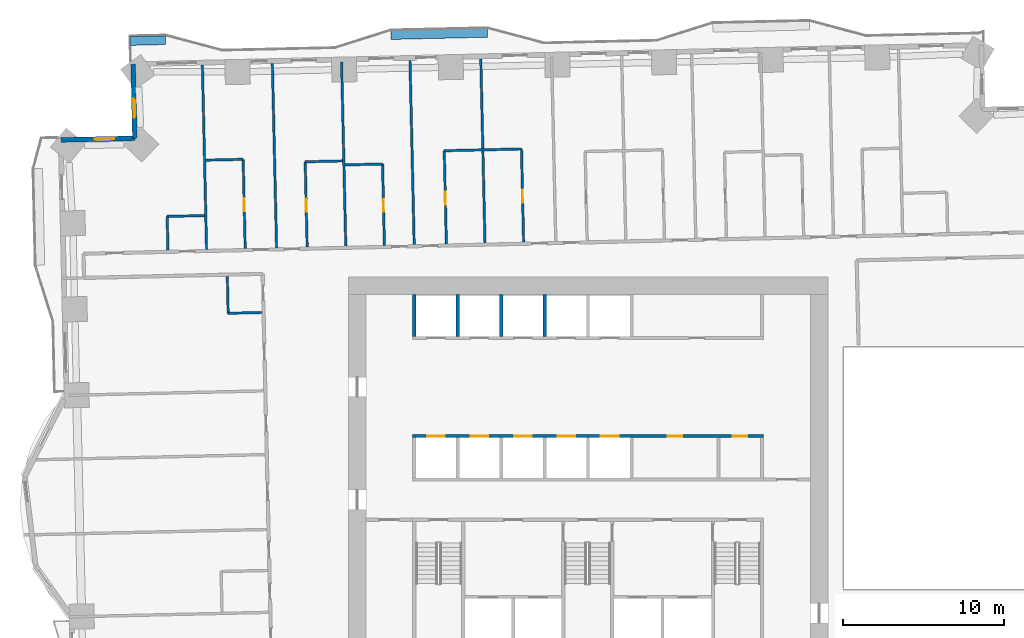
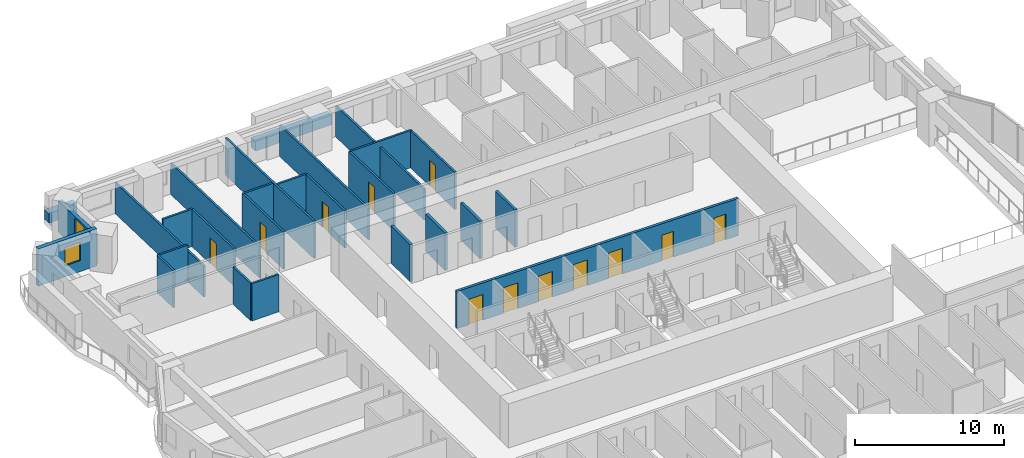
# One storey, part 9 of 16: 27 walls, 12 doors, 2 windows, 14 openings.
"""IFC4 building model written with IfcOpenShell, lengths in metres."""

from ifc_helpers import new_model, si_unit, direction, frame, frame_2d, origin, place, context, subcontext, project, spatial, rectangle, extrude, material, layer, layer_set, type_object, element, fill, save


model = new_model("IFC4")

# Units and contexts
model_context = context("Model", 3, precision=1e-05, world=origin(), true_north=direction((0.0, 1.0)))
body_context = subcontext(model_context, "Body", "Model", "MODEL_VIEW")
ifc_project = project(units=[si_unit("LENGTHUNIT", "METRE"), si_unit("AREAUNIT", "SQUARE_METRE"), si_unit("VOLUMEUNIT", "CUBIC_METRE"), si_unit("PLANEANGLEUNIT", "RADIAN"), si_unit("MASSUNIT", "GRAM", prefix="KILO")], contexts=[model_context])

# Site, building, storey
site_placement = place(None, origin())
site = spatial("IfcSite", under=ifc_project, at=site_placement, CompositionType="ELEMENT")
building_placement = place(site_placement, origin())
building = spatial("IfcBuilding", under=site, at=building_placement, Name="Mangrove Gate Tower", CompositionType="ELEMENT")
storey_placement = place(building_placement, frame((0.0, 0.0, 34.10009765625)))
storey = spatial("IfcBuildingStorey", under=building, at=storey_placement, Name="L07", CompositionType="ELEMENT", Elevation=34.10009765625)

# Wall, openings, doors
ifc_material_1 = material(Name="Concrete C70/85", Category="concrete")
ifc_layer_1 = layer(ifc_material_1, 0.199951171875)
ifc_layer_set_1 = layer_set([ifc_layer_1], Name="Core shaft wall 200 C70/85")
wall_type_1 = type_object("IfcWallType", Name="Core shaft wall 200 C70/85", PredefinedType="SHEAR", material=ifc_layer_set_1)
wall_1_placement = place(storey_placement, frame((-10.89990234375, 2.0, 0.0), z_axis=(0.0, 0.0, 1.0), x_axis=(1.0, 0.0, 0.0)))
wall_1 = element("IfcWall", 1, at=wall_1_placement, inside=storey, type_object=wall_type_1, Name="WALL-L07-CORE-7", PredefinedType="SHEAR", context=body_context, shape_type="SweptSolid", body=[
    extrude(rectangle(XDim=21.7998046875, YDim=0.199951171875, at=frame_2d((10.89990234375, 0.0))), origin(), (0.0, 0.0, 1.0), 3.0498046875),
])
opening_1_placement = place(wall_1_placement, frame((0.89990234375, 0.0, 0.0)))
opening_1 = element("IfcOpeningElement", 2, at=opening_1_placement, cuts=wall_1, Name="Opening LD", PredefinedType="OPENING", context=body_context, shape_type="SweptSolid", body=[
    extrude(rectangle(XDim=1.10009765625, YDim=2.10009765625, at=frame_2d((0.550048828125, 1.050048828125))), frame((0.0, 0.10986328125, 0.0), z_axis=(0.0, -1.0, 0.0), x_axis=(1.0, 0.0, 0.0)), (0.0, 0.0, 1.0), 0.219970703125),
])
opening_2_placement = place(wall_1_placement, frame((3.60009765625, 0.0, 0.0)))
opening_2 = element("IfcOpeningElement", 3, at=opening_2_placement, cuts=wall_1, Name="Opening LD", PredefinedType="OPENING", context=body_context, shape_type="SweptSolid", body=[
    extrude(rectangle(XDim=1.10009765625, YDim=2.10009765625, at=frame_2d((0.550048828125, 1.050048828125))), frame((0.0, 0.10986328125, 0.0), z_axis=(0.0, -1.0, 0.0), x_axis=(1.0, 0.0, 0.0)), (0.0, 0.0, 1.0), 0.219970703125),
])
opening_3_placement = place(wall_1_placement, frame((6.300048828125, 0.0, 0.0)))
opening_3 = element("IfcOpeningElement", 4, at=opening_3_placement, cuts=wall_1, Name="Opening LD", PredefinedType="OPENING", context=body_context, shape_type="SweptSolid", body=[
    extrude(rectangle(XDim=1.10009765625, YDim=2.10009765625, at=frame_2d((0.550048828125, 1.050048828125))), frame((0.0, 0.10986328125, 0.0), z_axis=(0.0, -1.0, 0.0), x_axis=(1.0, 0.0, 0.0)), (0.0, 0.0, 1.0), 0.219970703125),
])
opening_4_placement = place(wall_1_placement, frame((9.0, 0.0, 0.0)))
opening_4 = element("IfcOpeningElement", 5, at=opening_4_placement, cuts=wall_1, Name="Opening LD", PredefinedType="OPENING", context=body_context, shape_type="SweptSolid", body=[
    extrude(rectangle(XDim=1.10009765625, YDim=2.10009765625, at=frame_2d((0.550048828125, 1.050048828125))), frame((0.0, 0.10986328125, 0.0), z_axis=(0.0, -1.0, 0.0), x_axis=(1.0, 0.0, 0.0)), (0.0, 0.0, 1.0), 0.219970703125),
])
opening_5_placement = place(wall_1_placement, frame((11.699951171875, 0.0, 0.0)))
opening_5 = element("IfcOpeningElement", 6, at=opening_5_placement, cuts=wall_1, Name="Opening LD", PredefinedType="OPENING", context=body_context, shape_type="SweptSolid", body=[
    extrude(rectangle(XDim=1.10009765625, YDim=2.10009765625, at=frame_2d((0.550048828125, 1.050048828125))), frame((0.0, 0.10986328125, 0.0), z_axis=(0.0, -1.0, 0.0), x_axis=(1.0, 0.0, 0.0)), (0.0, 0.0, 1.0), 0.219970703125),
])
opening_6_placement = place(wall_1_placement, frame((15.85009765625, 0.0, 0.0)))
opening_6 = element("IfcOpeningElement", 7, at=opening_6_placement, cuts=wall_1, Name="Opening KD", PredefinedType="OPENING", context=body_context, shape_type="SweptSolid", body=[
    extrude(rectangle(XDim=0.89990234375, YDim=2.10009765625, at=frame_2d((0.449951171875, 1.050048828125))), frame((0.0, 0.10986328125, 0.0), z_axis=(0.0, -1.0, 0.0), x_axis=(1.0, 0.0, 0.0)), (0.0, 0.0, 1.0), 0.219970703125),
])
opening_7_placement = place(wall_1_placement, frame((19.89990234375, 0.0, 0.0)))
opening_7 = element("IfcOpeningElement", 8, at=opening_7_placement, cuts=wall_1, Name="Opening KD", PredefinedType="OPENING", context=body_context, shape_type="SweptSolid", body=[
    extrude(rectangle(XDim=0.89990234375, YDim=2.10009765625, at=frame_2d((0.449951171875, 1.050048828125))), frame((0.0, 0.10986328125, 0.0), z_axis=(0.0, -1.0, 0.0), x_axis=(1.0, 0.0, 0.0)), (0.0, 0.0, 1.0), 0.219970703125),
])
ifc_material_2 = material(Name="Fire-rated steel door set", Category="steel")
door_type_1 = type_object("IfcDoorType", Name="Core room door FD30S 900x2100", OperationType="SINGLE_SWING_RIGHT", PredefinedType="DOOR", material=ifc_material_2)
door_1_placement = place(opening_6_placement, origin())
door_1 = element("IfcDoor", 9, at=door_1_placement, inside=storey, type_object=door_type_1, Name="Core room door Pantry store", OperationType="SINGLE_SWING_RIGHT", OverallHeight=2.10009765625, OverallWidth=0.89990234375, PredefinedType="DOOR", context=body_context, shape_type="SweptSolid", body=[
    extrude(rectangle(XDim=0.89990234375, YDim=2.10009765625, at=frame_2d((0.449951171875, 1.050048828125))), frame((0.0, 0.02490234375, 0.0), z_axis=(0.0, -1.0, 0.0), x_axis=(1.0, 0.0, 0.0)), (0.0, 0.0, 1.0), 0.050048828125),
])
fill(opening_6, door_1)
door_2_placement = place(opening_7_placement, origin())
door_2 = element("IfcDoor", 10, at=door_2_placement, inside=storey, type_object=door_type_1, Name="Core room door Cleaner's store", OperationType="SINGLE_SWING_RIGHT", OverallHeight=2.10009765625, OverallWidth=0.89990234375, PredefinedType="DOOR", context=body_context, shape_type="SweptSolid", body=[
    extrude(rectangle(XDim=0.89990234375, YDim=2.10009765625, at=frame_2d((0.449951171875, 1.050048828125))), frame((0.0, 0.02490234375, 0.0), z_axis=(0.0, -1.0, 0.0), x_axis=(1.0, 0.0, 0.0)), (0.0, 0.0, 1.0), 0.050048828125),
])
fill(opening_7, door_2)
ifc_material_3 = material(Name="Stainless steel 316", Category="steel")
door_type_2 = type_object("IfcDoorType", Name="Lift landing door 1100x2100", OperationType="SLIDING_TO_LEFT", PredefinedType="DOOR", material=ifc_material_3)
door_3_placement = place(opening_1_placement, origin())
door_3 = element("IfcDoor", 11, at=door_3_placement, inside=storey, type_object=door_type_2, Name="Landing door LD P01", OperationType="SLIDING_TO_LEFT", OverallHeight=2.10009765625, OverallWidth=1.10009765625, PredefinedType="DOOR", context=body_context, shape_type="SweptSolid", body=[
    extrude(rectangle(XDim=1.10009765625, YDim=2.10009765625, at=frame_2d((0.550048828125, 1.050048828125))), frame((0.0, 0.02490234375, 0.0), z_axis=(0.0, -1.0, 0.0), x_axis=(1.0, 0.0, 0.0)), (0.0, 0.0, 1.0), 0.050048828125),
])
fill(opening_1, door_3)
door_4_placement = place(opening_2_placement, origin())
door_4 = element("IfcDoor", 12, at=door_4_placement, inside=storey, type_object=door_type_2, Name="Landing door LD P02", OperationType="SLIDING_TO_LEFT", OverallHeight=2.10009765625, OverallWidth=1.10009765625, PredefinedType="DOOR", context=body_context, shape_type="SweptSolid", body=[
    extrude(rectangle(XDim=1.10009765625, YDim=2.10009765625, at=frame_2d((0.550048828125, 1.050048828125))), frame((0.0, 0.02490234375, 0.0), z_axis=(0.0, -1.0, 0.0), x_axis=(1.0, 0.0, 0.0)), (0.0, 0.0, 1.0), 0.050048828125),
])
fill(opening_2, door_4)
door_5_placement = place(opening_3_placement, origin())
door_5 = element("IfcDoor", 13, at=door_5_placement, inside=storey, type_object=door_type_2, Name="Landing door LD P03", OperationType="SLIDING_TO_LEFT", OverallHeight=2.10009765625, OverallWidth=1.10009765625, PredefinedType="DOOR", context=body_context, shape_type="SweptSolid", body=[
    extrude(rectangle(XDim=1.10009765625, YDim=2.10009765625, at=frame_2d((0.550048828125, 1.050048828125))), frame((0.0, 0.02490234375, 0.0), z_axis=(0.0, -1.0, 0.0), x_axis=(1.0, 0.0, 0.0)), (0.0, 0.0, 1.0), 0.050048828125),
])
fill(opening_3, door_5)
door_6_placement = place(opening_4_placement, origin())
door_6 = element("IfcDoor", 14, at=door_6_placement, inside=storey, type_object=door_type_2, Name="Landing door LD P04", OperationType="SLIDING_TO_LEFT", OverallHeight=2.10009765625, OverallWidth=1.10009765625, PredefinedType="DOOR", context=body_context, shape_type="SweptSolid", body=[
    extrude(rectangle(XDim=1.10009765625, YDim=2.10009765625, at=frame_2d((0.550048828125, 1.050048828125))), frame((0.0, 0.02490234375, 0.0), z_axis=(0.0, -1.0, 0.0), x_axis=(1.0, 0.0, 0.0)), (0.0, 0.0, 1.0), 0.050048828125),
])
fill(opening_4, door_6)
door_7_placement = place(opening_5_placement, origin())
door_7 = element("IfcDoor", 15, at=door_7_placement, inside=storey, type_object=door_type_2, Name="Landing door LD P05", OperationType="SLIDING_TO_LEFT", OverallHeight=2.10009765625, OverallWidth=1.10009765625, PredefinedType="DOOR", context=body_context, shape_type="SweptSolid", body=[
    extrude(rectangle(XDim=1.10009765625, YDim=2.10009765625, at=frame_2d((0.550048828125, 1.050048828125))), frame((0.0, 0.02490234375, 0.0), z_axis=(0.0, -1.0, 0.0), x_axis=(1.0, 0.0, 0.0)), (0.0, 0.0, 1.0), 0.050048828125),
])
fill(opening_5, door_7)

# Walls
for number, where, z_axis, x_axis, name in (
    (16, (-10.800048828125, 8.199951171875, 0.0), (0.0, 0.0, 1.0), (0.0, 1.0, 0.0), "WALL-L07-CORE-27"),
    (17, (-8.10009765625, 8.199951171875, 0.0), (0.0, 0.0, 1.0), (0.0, 1.0, 0.0), "WALL-L07-CORE-28"),
    (18, (-5.39990234375, 8.199951171875, 0.0), (0.0, 0.0, 1.0), (0.0, 1.0, 0.0), "WALL-L07-CORE-29"),
    (19, (-2.699951171875, 8.199951171875, 0.0), (0.0, 0.0, 1.0), (0.0, 1.0, 0.0), "WALL-L07-CORE-30"),
):
    element("IfcWall", number, at=place(storey_placement, frame(where, z_axis=z_axis, x_axis=x_axis)), inside=storey, type_object=wall_type_1, Name=name, PredefinedType="SHEAR", context=body_context, shape_type="SweptSolid", body=[
        extrude(rectangle(XDim=2.60009765625, YDim=0.199951171875, at=frame_2d((1.300048828125, 0.0))), origin(), (0.0, 0.0, 1.0), 3.0498046875),
    ])

# Wall, opening, window
ifc_material_4 = material(Name="Limestone", Category="masonry")
ifc_layer_2 = layer(ifc_material_4, 0.0400390625, Name="Limestone cladding")
ifc_material_5 = material(Name="Ventilated air gap")
ifc_layer_3 = layer(ifc_material_5, 0.0400390625, Name="Ventilated cavity")
ifc_material_6 = material(Name="Mineral wool insulation")
ifc_layer_4 = layer(ifc_material_6, 0.06005859375, Name="Insulation")
ifc_material_7 = material(Name="Breather membrane")
ifc_layer_5 = layer(ifc_material_7, 0.001953125, Name="Breather membrane")
ifc_material_8 = material(Name="Concrete C20/25 blockwork", Category="masonry")
ifc_layer_6 = layer(ifc_material_8, 0.14990234375, Name="Blockwork backing wall")
ifc_material_9 = material(Name="Gypsum plaster")
ifc_layer_7 = layer(ifc_material_9, 0.008056640625, Name="Internal plaster")
ifc_layer_set_2 = layer_set([ifc_layer_2, ifc_layer_3, ifc_layer_4, ifc_layer_5, ifc_layer_6, ifc_layer_7], Name="External wall 300 limestone cladding")
wall_type_2 = type_object("IfcWallType", Name="External wall 300 limestone cladding", PredefinedType="SOLIDWALL", material=ifc_layer_set_2)
wall_2_placement = place(storey_placement, frame((-28.263916015625, 25.10205078125, 0.0), z_axis=(0.0, 0.0, 1.0), x_axis=(0.022820258049, -0.999739584003, 0.0)))
wall_2 = element("IfcWall", 20, at=wall_2_placement, inside=storey, type_object=wall_type_2, Name="WALL-L07-W6", PredefinedType="SOLIDWALL", context=body_context, shape_type="SweptSolid", body=[
    extrude(rectangle(XDim=4.600341796875, YDim=0.300048828125, at=frame_2d((2.30029296875, 0.0))), origin(), (0.0, 0.0, 1.0), 2.5498046875),
])
opening_8_placement = place(wall_2_placement, frame((2.133056640625, 0.0, 0.89990234375)))
opening_8 = element("IfcOpeningElement", 21, at=opening_8_placement, cuts=wall_2, Name="Opening W1", PredefinedType="OPENING", context=body_context, shape_type="SweptSolid", body=[
    extrude(rectangle(XDim=1.199951171875, YDim=1.5, at=frame_2d((0.60009765625, 0.75))), frame((0.0, 0.159912109375, 0.0), z_axis=(0.0, -1.0, 0.0), x_axis=(1.0, 0.0, 0.0)), (0.0, 0.0, 1.0), 0.320068359375),
])
ifc_material_10 = material(Name="Aluminium frame with double-glazed low-e glass", Category="aluminium")
window_type = type_object("IfcWindowType", Name="Side lite 1200x1500", PartitioningType="SINGLE_PANEL", PredefinedType="WINDOW", material=ifc_material_10)
window_1_placement = place(opening_8_placement, origin())
window_1 = element("IfcWindow", 22, at=window_1_placement, inside=storey, type_object=window_type, Name="WIN-L07-W6-1", OverallHeight=1.5, OverallWidth=1.199951171875, PartitioningType="SINGLE_PANEL", PredefinedType="WINDOW", context=body_context, shape_type="SweptSolid", body=[
    extrude(rectangle(XDim=1.199951171875, YDim=1.5, at=frame_2d((0.60009765625, 0.75))), frame((0.0, 0.030029296875, 0.0), z_axis=(0.0, -1.0, 0.0), x_axis=(1.0, 0.0, 0.0)), (0.0, 0.0, 1.0), 0.06005859375),
])
fill(opening_8, window_1)

wall_3_placement = place(storey_placement, frame((-28.158935546875, 20.5029296875, 0.0), z_axis=(0.0, 0.0, 1.0), x_axis=(-0.999744404568, -0.02260808559, 0.0)))
wall_3 = element("IfcWall", 23, at=wall_3_placement, inside=storey, type_object=wall_type_2, Name="WALL-L07-N7", PredefinedType="SOLIDWALL", context=body_context, shape_type="SweptSolid", body=[
    extrude(rectangle(XDim=4.600341796875, YDim=0.300048828125, at=frame_2d((2.30029296875, 0.0))), origin(), (0.0, 0.0, 1.0), 3.0498046875),
])
opening_9_placement = place(wall_3_placement, frame((1.283935546875, 0.0, 0.89990234375)))
opening_9 = element("IfcOpeningElement", 24, at=opening_9_placement, cuts=wall_3, Name="Opening W1", PredefinedType="OPENING", context=body_context, shape_type="SweptSolid", body=[
    extrude(rectangle(XDim=1.199951171875, YDim=1.5, at=frame_2d((0.60009765625, 0.75))), frame((0.0, 0.159912109375, 0.0), z_axis=(0.0, -1.0, 0.0), x_axis=(1.0, 0.0, 0.0)), (0.0, 0.0, 1.0), 0.320068359375),
])
window_2_placement = place(opening_9_placement, origin())
window_2 = element("IfcWindow", 25, at=window_2_placement, inside=storey, type_object=window_type, Name="WIN-L07-N7-1", OverallHeight=1.5, OverallWidth=1.199951171875, PartitioningType="SINGLE_PANEL", PredefinedType="WINDOW", context=body_context, shape_type="SweptSolid", body=[
    extrude(rectangle(XDim=1.199951171875, YDim=1.5, at=frame_2d((0.60009765625, 0.75))), frame((0.0, 0.030029296875, 0.0), z_axis=(0.0, -1.0, 0.0), x_axis=(1.0, 0.0, 0.0)), (0.0, 0.0, 1.0), 0.06005859375),
])
fill(opening_9, window_2)

# Walls
ifc_material_11 = material(Name="Gypsum board on steel stud, EI 60", Category="steel")
ifc_layer_8 = layer(ifc_material_11, 0.14990234375)
ifc_layer_set_3 = layer_set([ifc_layer_8], Name="Party wall 150 EI 60")
wall_type_3 = type_object("IfcWallType", Name="Party wall 150 EI 60", PredefinedType="PARTITIONING", material=ifc_layer_set_3)
wall_4_placement = place(storey_placement, frame((-22.361083984375, 9.632080078125, 0.0), z_axis=(0.0, 0.0, 1.0), x_axis=(0.999740272436, 0.02279007832, 0.0)))
element("IfcWall", 26, at=wall_4_placement, inside=storey, type_object=wall_type_3, Name="WALL-L07-048", PredefinedType="PARTITIONING", context=body_context, shape_type="SweptSolid", body=[
    extrude(rectangle(XDim=2.099609375, YDim=0.14990234375, at=frame_2d((1.0498046875, 0.0))), origin(), (0.0, 0.0, 1.0), 3.0498046875),
])
wall_5_placement = place(storey_placement, frame((-22.361083984375, 9.632080078125, 0.0), z_axis=(0.0, 0.0, 1.0), x_axis=(-0.022615284993, 0.999744241736, 0.0)))
element("IfcWall", 27, at=wall_5_placement, inside=storey, type_object=wall_type_3, Name="WALL-L07-049", PredefinedType="PARTITIONING", context=body_context, shape_type="SweptSolid", body=[
    extrude(rectangle(XDim=2.29931640625, YDim=0.14990234375, at=frame_2d((1.149658203125, 0.0))), origin(), (0.0, 0.0, 1.0), 3.0498046875),
])
wall_6_placement = place(storey_placement, frame((-26.10107421875, 13.548095703125, 0.0), z_axis=(0.0, 0.0, 1.0), x_axis=(-0.022782133344, 0.999740453518, 0.0)))
element("IfcWall", 28, at=wall_6_placement, inside=storey, type_object=wall_type_3, Name="WALL-L07-057", PredefinedType="PARTITIONING", context=body_context, shape_type="SweptSolid", body=[
    extrude(rectangle(XDim=2.100341796875, YDim=0.14990234375, at=frame_2d((1.05029296875, 0.0))), origin(), (0.0, 0.0, 1.0), 3.0498046875),
])
wall_7_placement = place(storey_placement, frame((-23.701904296875, 13.60205078125, 0.0), z_axis=(0.0, 0.0, 1.0), x_axis=(-0.022621153305, 0.999744108971, 0.0)))
element("IfcWall", 29, at=wall_7_placement, inside=storey, type_object=wall_type_3, Name="WALL-L07-058", PredefinedType="PARTITIONING", context=body_context, shape_type="SweptSolid", body=[
    extrude(rectangle(XDim=11.450927734375, YDim=0.14990234375, at=frame_2d((5.7255859375, 0.0))), origin(), (0.0, 0.0, 1.0), 2.5498046875),
])

# Wall, opening, door
wall_8_placement = place(storey_placement, frame((-21.302001953125, 13.656982421875, 0.0), z_axis=(0.0, 0.0, 1.0), x_axis=(-0.02273742063, 0.999741471433, 0.0)))
wall_8 = element("IfcWall", 30, at=wall_8_placement, inside=storey, type_object=wall_type_3, Name="WALL-L07-059", PredefinedType="PARTITIONING", context=body_context, shape_type="SweptSolid", body=[
    extrude(rectangle(XDim=5.54052734375, YDim=0.14990234375, at=frame_2d((2.770263671875, 0.0))), origin(), (0.0, 0.0, 1.0), 3.0498046875),
])
opening_10_placement = place(wall_8_placement, frame((2.320068359375, 0.0, 0.0)))
opening_10 = element("IfcOpeningElement", 31, at=opening_10_placement, cuts=wall_8, Name="Opening ED", PredefinedType="OPENING", context=body_context, shape_type="SweptSolid", body=[
    extrude(rectangle(XDim=0.800048828125, YDim=2.10009765625, at=frame_2d((0.39990234375, 1.050048828125))), frame((0.0, 0.0849609375, 0.0), z_axis=(0.0, -1.0, 0.0), x_axis=(1.0, 0.0, 0.0)), (0.0, 0.0, 1.0), 0.169921875),
])
ifc_material_12 = material(Name="Timber door leaf", Category="wood")
door_type_3 = type_object("IfcDoorType", Name="En-suite door 800", OperationType="SINGLE_SWING_LEFT", PredefinedType="DOOR", material=ifc_material_12)
door_8_placement = place(opening_10_placement, origin())
door_8 = element("IfcDoor", 32, at=door_8_placement, inside=storey, type_object=door_type_3, Name="DOOR-L07-ENS-c519", OperationType="SINGLE_SWING_LEFT", OverallHeight=2.10009765625, OverallWidth=0.800048828125, PredefinedType="DOOR", context=body_context, shape_type="SweptSolid", body=[
    extrude(rectangle(XDim=0.800048828125, YDim=2.10009765625, at=frame_2d((0.39990234375, 1.050048828125))), frame((0.0, 0.02490234375, 0.0), z_axis=(0.0, -1.0, 0.0), x_axis=(1.0, 0.0, 0.0)), (0.0, 0.0, 1.0), 0.050048828125),
])
fill(opening_10, door_8)

# Wall
wall_9_placement = place(storey_placement, frame((-19.35302734375, 13.700927734375, 0.0), z_axis=(0.0, 0.0, 1.0), x_axis=(-0.022708327922, 0.999742132674, 0.0)))
element("IfcWall", 33, at=wall_9_placement, inside=storey, type_object=wall_type_3, Name="WALL-L07-060", PredefinedType="PARTITIONING", context=body_context, shape_type="SweptSolid", body=[
    extrude(rectangle(XDim=11.449951171875, YDim=0.14990234375, at=frame_2d((5.72509765625, 0.0))), origin(), (0.0, 0.0, 1.0), 2.5498046875),
])

# Wall, opening, door
wall_10_placement = place(storey_placement, frame((-17.452880859375, 13.743896484375, 0.0), z_axis=(0.0, 0.0, 1.0), x_axis=(-0.022845913063, 0.999738998067, 0.0)))
wall_10 = element("IfcWall", 34, at=wall_10_placement, inside=storey, type_object=wall_type_3, Name="WALL-L07-061", PredefinedType="PARTITIONING", context=body_context, shape_type="SweptSolid", body=[
    extrude(rectangle(XDim=5.300537109375, YDim=0.14990234375, at=frame_2d((2.650390625, 0.0))), origin(), (0.0, 0.0, 1.0), 3.0498046875),
])
opening_11_placement = place(wall_10_placement, frame((2.199951171875, 0.0, 0.0)))
opening_11 = element("IfcOpeningElement", 35, at=opening_11_placement, cuts=wall_10, Name="Opening ED", PredefinedType="OPENING", context=body_context, shape_type="SweptSolid", body=[
    extrude(rectangle(XDim=0.800048828125, YDim=2.10009765625, at=frame_2d((0.39990234375, 1.050048828125))), frame((0.0, 0.0849609375, 0.0), z_axis=(0.0, -1.0, 0.0), x_axis=(1.0, 0.0, 0.0)), (0.0, 0.0, 1.0), 0.169921875),
])
door_9_placement = place(opening_11_placement, origin())
door_9 = element("IfcDoor", 36, at=door_9_placement, inside=storey, type_object=door_type_3, Name="DOOR-L07-ENS-c518", OperationType="SINGLE_SWING_RIGHT", OverallHeight=2.10009765625, OverallWidth=0.800048828125, PredefinedType="DOOR", context=body_context, shape_type="SweptSolid", body=[
    extrude(rectangle(XDim=0.800048828125, YDim=2.10009765625, at=frame_2d((0.39990234375, 1.050048828125))), frame((0.0, 0.02490234375, 0.0), z_axis=(0.0, -1.0, 0.0), x_axis=(1.0, 0.0, 0.0)), (0.0, 0.0, 1.0), 0.050048828125),
])
fill(opening_11, door_9)

# Wall
wall_11_placement = place(storey_placement, frame((-15.053955078125, 13.799072265625, 0.0), z_axis=(0.0, 0.0, 1.0), x_axis=(-0.022708327922, 0.999742132674, 0.0)))
element("IfcWall", 37, at=wall_11_placement, inside=storey, type_object=wall_type_3, Name="WALL-L07-062", PredefinedType="PARTITIONING", context=body_context, shape_type="SweptSolid", body=[
    extrude(rectangle(XDim=11.449951171875, YDim=0.14990234375, at=frame_2d((5.72509765625, 0.0))), origin(), (0.0, 0.0, 1.0), 3.0498046875),
])

# Wall, opening, door
wall_12_placement = place(storey_placement, frame((-12.655029296875, 13.85302734375, 0.0), z_axis=(0.0, 0.0, 1.0), x_axis=(-0.02257535817, 0.999745144126, 0.0)))
wall_12 = element("IfcWall", 38, at=wall_12_placement, inside=storey, type_object=wall_type_3, Name="WALL-L07-063", PredefinedType="PARTITIONING", context=body_context, shape_type="SweptSolid", body=[
    extrude(rectangle(XDim=5.05029296875, YDim=0.14990234375, at=frame_2d((2.525146484375, 0.0))), origin(), (0.0, 0.0, 1.0), 3.0498046875),
])
opening_12_placement = place(wall_12_placement, frame((2.074951171875, 0.0, 0.0)))
opening_12 = element("IfcOpeningElement", 39, at=opening_12_placement, cuts=wall_12, Name="Opening ED", PredefinedType="OPENING", context=body_context, shape_type="SweptSolid", body=[
    extrude(rectangle(XDim=0.800048828125, YDim=2.10009765625, at=frame_2d((0.39990234375, 1.050048828125))), frame((0.0, 0.0849609375, 0.0), z_axis=(0.0, -1.0, 0.0), x_axis=(1.0, 0.0, 0.0)), (0.0, 0.0, 1.0), 0.169921875),
])
door_10_placement = place(opening_12_placement, origin())
door_10 = element("IfcDoor", 40, at=door_10_placement, inside=storey, type_object=door_type_3, Name="DOOR-L07-ENS-c517", OperationType="SINGLE_SWING_LEFT", OverallHeight=2.10009765625, OverallWidth=0.800048828125, PredefinedType="DOOR", context=body_context, shape_type="SweptSolid", body=[
    extrude(rectangle(XDim=0.800048828125, YDim=2.10009765625, at=frame_2d((0.39990234375, 1.050048828125))), frame((0.0, 0.02490234375, 0.0), z_axis=(0.0, -1.0, 0.0), x_axis=(1.0, 0.0, 0.0)), (0.0, 0.0, 1.0), 0.050048828125),
])
fill(opening_12, door_10)

# Wall
wall_13_placement = place(storey_placement, frame((-10.804931640625, 13.89501953125, 0.0), z_axis=(0.0, 0.0, 1.0), x_axis=(-0.022708327922, 0.999742132674, 0.0)))
element("IfcWall", 41, at=wall_13_placement, inside=storey, type_object=wall_type_3, Name="WALL-L07-064", PredefinedType="PARTITIONING", context=body_context, shape_type="SweptSolid", body=[
    extrude(rectangle(XDim=11.449951171875, YDim=0.14990234375, at=frame_2d((5.72509765625, 0.0))), origin(), (0.0, 0.0, 1.0), 2.5498046875),
])

# Wall, opening, door
wall_14_placement = place(storey_placement, frame((-8.805908203125, 13.94091796875, 0.0), z_axis=(0.0, 0.0, 1.0), x_axis=(-0.022644773889, 0.999743574231, 0.0)))
wall_14 = element("IfcWall", 42, at=wall_14_placement, inside=storey, type_object=wall_type_3, Name="WALL-L07-065", PredefinedType="PARTITIONING", context=body_context, shape_type="SweptSolid", body=[
    extrude(rectangle(XDim=5.78955078125, YDim=0.14990234375, at=frame_2d((2.894775390625, 0.0))), origin(), (0.0, 0.0, 1.0), 3.0498046875),
])
opening_13_placement = place(wall_14_placement, frame((2.445068359375, 0.0, 0.0)))
opening_13 = element("IfcOpeningElement", 43, at=opening_13_placement, cuts=wall_14, Name="Opening ED", PredefinedType="OPENING", context=body_context, shape_type="SweptSolid", body=[
    extrude(rectangle(XDim=0.800048828125, YDim=2.10009765625, at=frame_2d((0.39990234375, 1.050048828125))), frame((0.0, 0.0849609375, 0.0), z_axis=(0.0, -1.0, 0.0), x_axis=(1.0, 0.0, 0.0)), (0.0, 0.0, 1.0), 0.169921875),
])
door_11_placement = place(opening_13_placement, origin())
door_11 = element("IfcDoor", 44, at=door_11_placement, inside=storey, type_object=door_type_3, Name="DOOR-L07-ENS-c416", OperationType="SINGLE_SWING_RIGHT", OverallHeight=2.10009765625, OverallWidth=0.800048828125, PredefinedType="DOOR", context=body_context, shape_type="SweptSolid", body=[
    extrude(rectangle(XDim=0.800048828125, YDim=2.10009765625, at=frame_2d((0.39990234375, 1.050048828125))), frame((0.0, 0.02490234375, 0.0), z_axis=(0.0, -1.0, 0.0), x_axis=(1.0, 0.0, 0.0)), (0.0, 0.0, 1.0), 0.050048828125),
])
fill(opening_13, door_11)

# Wall
wall_15_placement = place(storey_placement, frame((-6.406005859375, 13.9951171875, 0.0), z_axis=(0.0, 0.0, 1.0), x_axis=(-0.022708812003, 0.999742121678, 0.0)))
element("IfcWall", 45, at=wall_15_placement, inside=storey, type_object=wall_type_3, Name="WALL-L07-066", PredefinedType="PARTITIONING", context=body_context, shape_type="SweptSolid", body=[
    extrude(rectangle(XDim=11.44970703125, YDim=0.14990234375, at=frame_2d((5.724853515625, 0.0))), origin(), (0.0, 0.0, 1.0), 2.5498046875),
])

# Wall, opening, door
wall_16_placement = place(storey_placement, frame((-4.007080078125, 14.049072265625, 0.0), z_axis=(0.0, 0.0, 1.0), x_axis=(-0.02259976811, 0.999744592624, 0.0)))
wall_16 = element("IfcWall", 46, at=wall_16_placement, inside=storey, type_object=wall_type_3, Name="WALL-L07-067", PredefinedType="PARTITIONING", context=body_context, shape_type="SweptSolid", body=[
    extrude(rectangle(XDim=5.790283203125, YDim=0.14990234375, at=frame_2d((2.89501953125, 0.0))), origin(), (0.0, 0.0, 1.0), 3.0498046875),
])
opening_14_placement = place(wall_16_placement, frame((2.445068359375, 0.0, 0.0)))
opening_14 = element("IfcOpeningElement", 47, at=opening_14_placement, cuts=wall_16, Name="Opening ED", PredefinedType="OPENING", context=body_context, shape_type="SweptSolid", body=[
    extrude(rectangle(XDim=0.800048828125, YDim=2.10009765625, at=frame_2d((0.39990234375, 1.050048828125))), frame((0.0, 0.0849609375, 0.0), z_axis=(0.0, -1.0, 0.0), x_axis=(1.0, 0.0, 0.0)), (0.0, 0.0, 1.0), 0.169921875),
])
door_12_placement = place(opening_14_placement, origin())
door_12 = element("IfcDoor", 48, at=door_12_placement, inside=storey, type_object=door_type_3, Name="DOOR-L07-ENS-c415", OperationType="SINGLE_SWING_LEFT", OverallHeight=2.10009765625, OverallWidth=0.800048828125, PredefinedType="DOOR", context=body_context, shape_type="SweptSolid", body=[
    extrude(rectangle(XDim=0.800048828125, YDim=2.10009765625, at=frame_2d((0.39990234375, 1.050048828125))), frame((0.0, 0.02490234375, 0.0), z_axis=(0.0, -1.0, 0.0), x_axis=(1.0, 0.0, 0.0)), (0.0, 0.0, 1.0), 0.050048828125),
])
fill(opening_14, door_12)

# Walls
for number, where, z_axis, x_axis, name in (
    (49, (-26.14892578125, 15.64794921875, 0.0), (0.0, 0.0, 1.0), (0.999749954681, 0.022361308448, 0.0), "WALL-L07-080"),
    (50, (-15.093994140625, 18.84912109375, 0.0), (0.0, 0.0, 1.0), (0.999740478815, 0.022781023197, 0.0), "WALL-L07-082"),
    (51, (-17.573974609375, 19.04296875, 0.0), (0.0, 0.0, 1.0), (0.999740478815, 0.022781023197, 0.0), "WALL-L07-084"),
):
    element("IfcWall", number, at=place(storey_placement, frame(where, z_axis=z_axis, x_axis=x_axis)), inside=storey, type_object=wall_type_3, Name=name, PredefinedType="PARTITIONING", context=body_context, shape_type="SweptSolid", body=[
        extrude(rectangle(XDim=2.325439453125, YDim=0.14990234375, at=frame_2d((1.16259765625, 0.0))), origin(), (0.0, 0.0, 1.0), 3.0498046875),
    ])
wall_17_placement = place(storey_placement, frame((-23.751953125, 19.14306640625, 0.0), z_axis=(0.0, 0.0, 1.0), x_axis=(0.999740260747, 0.02279059109, 0.0)))
element("IfcWall", 52, at=wall_17_placement, inside=storey, type_object=wall_type_3, Name="WALL-L07-087", PredefinedType="PARTITIONING", context=body_context, shape_type="SweptSolid", body=[
    extrude(rectangle(XDim=2.324462890625, YDim=0.14990234375, at=frame_2d((1.162109375, 0.0))), origin(), (0.0, 0.0, 1.0), 3.0498046875),
])
wall_18_placement = place(storey_placement, frame((-8.93701171875, 19.72900390625, 0.0), z_axis=(0.0, 0.0, 1.0), x_axis=(0.999742701292, 0.022683280499, 0.0)))
element("IfcWall", 53, at=wall_18_placement, inside=storey, type_object=wall_type_3, Name="WALL-L07-089", PredefinedType="PARTITIONING", context=body_context, shape_type="SweptSolid", body=[
    extrude(rectangle(XDim=4.80029296875, YDim=0.14990234375, at=frame_2d((2.400146484375, 0.0))), origin(), (0.0, 0.0, 1.0), 3.0498046875),
])
ifc_material_13 = material(Name="Concrete C32/40", Category="concrete")
ifc_layer_9 = layer(ifc_material_13, 0.199951171875, Name="Planter trough wall")
ifc_material_14 = material(Name="Bituminous waterproofing membrane")
ifc_layer_10 = layer(ifc_material_14, 0.0048828125, Name="Waterproofing")
ifc_material_15 = material(Name="Drainage board and gravel")
ifc_layer_11 = layer(ifc_material_15, 0.044921875, Name="Drainage layer")
ifc_material_16 = material(Name="Planting soil")
ifc_layer_12 = layer(ifc_material_16, 0.300048828125, Name="Growing medium")
ifc_layer_set_4 = layer_set([ifc_layer_9, ifc_layer_10, ifc_layer_11, ifc_layer_12], Name="Planter wall 550 C32/40")
wall_type_4 = type_object("IfcWallType", Name="Planter wall 550 C32/40", PredefinedType="USERDEFINED", material=ifc_layer_set_4)
wall_19_placement = place(storey_placement, frame((-28.446044921875, 26.548095703125, 0.0), z_axis=(0.0, 0.0, 1.0), x_axis=(0.999743608889, 0.022643243723, 0.0)))
element("IfcWall", 54, at=wall_19_placement, inside=storey, type_object=wall_type_4, Name="PLANTER L07 N1.1", ObjectType="PLANTER", PredefinedType="USERDEFINED", context=body_context, shape_type="SweptSolid", body=[
    extrude(rectangle(XDim=2.199462890625, YDim=0.550048828125, at=frame_2d((1.099609375, 0.0))), origin(), (0.0, 0.0, 1.0), 0.7998046875),
])
wall_20_placement = place(storey_placement, frame((-12.25, 26.9150390625, 0.0), z_axis=(0.0, 0.0, 1.0), x_axis=(0.999743094499, 0.022665943652, 0.0)))
element("IfcWall", 55, at=wall_20_placement, inside=storey, type_object=wall_type_4, Name="PLANTER L07 N1.2", ObjectType="PLANTER", PredefinedType="USERDEFINED", context=body_context, shape_type="SweptSolid", body=[
    extrude(rectangle(XDim=5.99951171875, YDim=0.550048828125, at=frame_2d((2.999755859375, 0.0))), origin(), (0.0, 0.0, 1.0), 0.7998046875),
])

save(model, "model.ifc")
